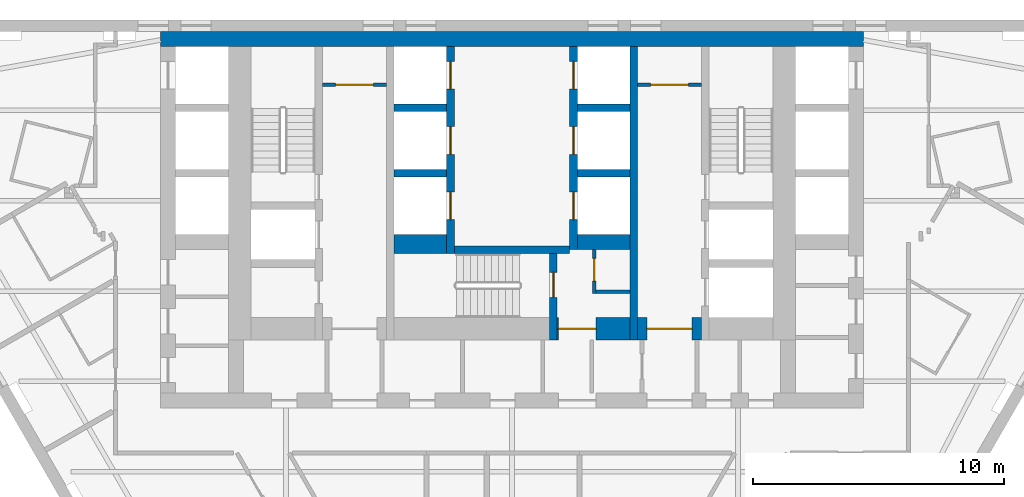
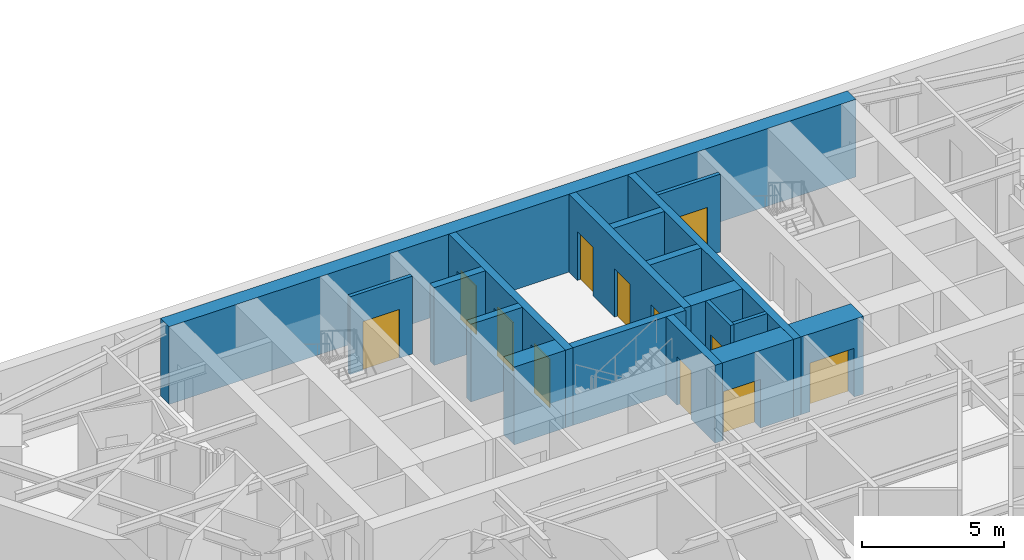
# One storey, part 7 of 11: 18 walls, 12 doors, 12 openings.
"""IFC4 building model written with IfcOpenShell, lengths in metres."""

from ifc_helpers import new_model, si_unit, direction, frame, frame_2d, origin, place, context, subcontext, project, spatial, rectangle, extrude, material, layer, layer_set, type_object, element, fill, save


model = new_model("IFC4")

# Units and contexts
model_context = context("Model", 3, precision=1e-05, world=origin(), true_north=direction((0.0, 1.0)))
body_context = subcontext(model_context, "Body", "Model", "MODEL_VIEW")
ifc_project = project(units=[si_unit("LENGTHUNIT", "METRE"), si_unit("AREAUNIT", "SQUARE_METRE"), si_unit("VOLUMEUNIT", "CUBIC_METRE"), si_unit("PLANEANGLEUNIT", "RADIAN"), si_unit("MASSUNIT", "GRAM", prefix="KILO")], contexts=[model_context])

# Site, building, storey
site_placement = place(None, origin())
site = spatial("IfcSite", under=ifc_project, at=site_placement, CompositionType="ELEMENT")
building_placement = place(site_placement, origin())
building = spatial("IfcBuilding", under=site, at=building_placement, Name="Aloe Facet Convention Tower", CompositionType="ELEMENT")
storey_placement = place(building_placement, frame((0.0, 0.0, 66.5)))
storey = spatial("IfcBuildingStorey", under=building, at=storey_placement, Name="L15", CompositionType="ELEMENT", Elevation=66.5)

# Wall, opening, door
ifc_material_1 = material(Name="Concrete blockwork partition", Category="masonry")
ifc_layer_1 = layer(ifc_material_1, 0.14990234375)
ifc_layer_set_1 = layer_set([ifc_layer_1], Name="CR-W-PART150")
wall_type_1 = type_object("IfcWallType", Name="CR-W-PART150", PredefinedType="PARTITIONING", material=ifc_layer_set_1)
wall_1_placement = place(storey_placement, frame((72.449951171875, 132.425048828125, 0.0), z_axis=(0.0, 0.0, 1.0), x_axis=(1.0, 0.0, 0.0)))
wall_1 = element("IfcWall", 1, at=wall_1_placement, inside=storey, type_object=wall_type_1, Name="Core partition L15-015", PredefinedType="PARTITIONING", context=body_context, shape_type="SweptSolid", body=[
    extrude(rectangle(XDim=2.550048828125, YDim=0.14990234375, at=frame_2d((1.27490234375, 0.0))), origin(), (0.0, 0.0, 1.0), 3.35009765625),
])
opening_1_placement = place(wall_1_placement, frame((0.52490234375, 0.0, 0.0)))
opening_1 = element("IfcOpeningElement", 2, at=opening_1_placement, cuts=wall_1, Name="Opening L15-CD22", PredefinedType="OPENING", context=body_context, shape_type="SweptSolid", body=[
    extrude(rectangle(XDim=1.5, YDim=2.10009765625, at=frame_2d((0.75, 1.050048828125))), frame((0.0, 0.0849609375, 0.0), z_axis=(0.0, -1.0, 0.0), x_axis=(1.0, 0.0, 0.0)), (0.0, 0.0, 1.0), 0.169921875),
])
ifc_material_2 = material(Name="Steel fire-resisting door set FD60", Category="steel")
door_type_1 = type_object("IfcDoorType", Name="CR-D-REFUGE-1500-FD60-DD", OperationType="DOUBLE_DOOR_DOUBLE_SWING", PredefinedType="DOOR", material=ifc_material_2)
door_1_placement = place(opening_1_placement, origin())
door_1 = element("IfcDoor", 3, at=door_1_placement, inside=storey, type_object=door_type_1, Name="Core door L15-CD22", OperationType="DOUBLE_DOOR_DOUBLE_SWING", OverallHeight=2.10009765625, OverallWidth=1.5, PredefinedType="DOOR", context=body_context, shape_type="SweptSolid", body=[
    extrude(rectangle(XDim=1.5, YDim=2.10009765625, at=frame_2d((0.75, 1.050048828125))), frame((0.0, 0.02490234375, 0.0), z_axis=(0.0, -1.0, 0.0), x_axis=(1.0, 0.0, 0.0)), (0.0, 0.0, 1.0), 0.050048828125),
])
fill(opening_1, door_1)

wall_2_placement = place(storey_placement, frame((83.27490234375, 125.85009765625, 0.0), z_axis=(0.0, 0.0, 1.0), x_axis=(0.0, -1.0, 0.0)))
wall_2 = element("IfcWall", 4, at=wall_2_placement, inside=storey, type_object=wall_type_1, Name="Core partition L15-035", PredefinedType="PARTITIONING", context=body_context, shape_type="SweptSolid", body=[
    extrude(rectangle(XDim=1.75, YDim=0.14990234375, at=frame_2d((0.875, 0.0))), origin(), (0.0, 0.0, 1.0), 3.35009765625),
])
opening_2_placement = place(wall_2_placement, frame((0.35009765625, 0.0, 0.0)))
opening_2 = element("IfcOpeningElement", 5, at=opening_2_placement, cuts=wall_2, Name="Opening L15-CD20", PredefinedType="OPENING", context=body_context, shape_type="SweptSolid", body=[
    extrude(rectangle(XDim=0.89990234375, YDim=2.10009765625, at=frame_2d((0.449951171875, 1.050048828125))), frame((0.0, 0.0849609375, 0.0), z_axis=(0.0, -1.0, 0.0), x_axis=(1.0, 0.0, 0.0)), (0.0, 0.0, 1.0), 0.169921875),
])
ifc_material_3 = material(Name="Steel fire-resisting door set FD60", Category="steel")
door_type_2 = type_object("IfcDoorType", Name="CR-D-REFUGE-900-FD60-SRIGHT", OperationType="SINGLE_SWING_RIGHT", PredefinedType="DOOR", material=ifc_material_3)
door_2_placement = place(opening_2_placement, origin())
door_2 = element("IfcDoor", 6, at=door_2_placement, inside=storey, type_object=door_type_2, Name="Core door L15-CD20", OperationType="SINGLE_SWING_RIGHT", OverallHeight=2.10009765625, OverallWidth=0.89990234375, PredefinedType="DOOR", context=body_context, shape_type="SweptSolid", body=[
    extrude(rectangle(XDim=0.89990234375, YDim=2.10009765625, at=frame_2d((0.449951171875, 1.050048828125))), frame((0.0, 0.02490234375, 0.0), z_axis=(0.0, -1.0, 0.0), x_axis=(1.0, 0.0, 0.0)), (0.0, 0.0, 1.0), 0.050048828125),
])
fill(opening_2, door_2)

# Wall
wall_3_placement = place(storey_placement, frame((83.35009765625, 124.175048828125, 0.0), z_axis=(0.0, 0.0, 1.0), x_axis=(1.0, 0.0, 0.0)))
element("IfcWall", 7, at=wall_3_placement, inside=storey, type_object=wall_type_1, Name="Core partition L15-036", PredefinedType="PARTITIONING", context=body_context, shape_type="SweptSolid", body=[
    extrude(rectangle(XDim=1.349853515625, YDim=0.14990234375, at=frame_2d((0.6748046875, 0.0))), origin(), (0.0, 0.0, 1.0), 3.35009765625),
])

# Wall, opening, door
wall_4_placement = place(storey_placement, frame((85.0, 132.425048828125, 0.0), z_axis=(0.0, 0.0, 1.0), x_axis=(1.0, 0.0, 0.0)))
wall_4 = element("IfcWall", 8, at=wall_4_placement, inside=storey, type_object=wall_type_1, Name="Core partition L15-038", PredefinedType="PARTITIONING", context=body_context, shape_type="SweptSolid", body=[
    extrude(rectangle(XDim=2.550048828125, YDim=0.14990234375, at=frame_2d((1.27490234375, 0.0))), origin(), (0.0, 0.0, 1.0), 3.35009765625),
])
opening_3_placement = place(wall_4_placement, frame((0.52490234375, 0.0, 0.0)))
opening_3 = element("IfcOpeningElement", 9, at=opening_3_placement, cuts=wall_4, Name="Opening L15-CD21", PredefinedType="OPENING", context=body_context, shape_type="SweptSolid", body=[
    extrude(rectangle(XDim=1.5, YDim=2.10009765625, at=frame_2d((0.75, 1.050048828125))), frame((0.0, 0.0849609375, 0.0), z_axis=(0.0, -1.0, 0.0), x_axis=(1.0, 0.0, 0.0)), (0.0, 0.0, 1.0), 0.169921875),
])
door_3_placement = place(opening_3_placement, origin())
door_3 = element("IfcDoor", 10, at=door_3_placement, inside=storey, type_object=door_type_1, Name="Core door L15-CD21", OperationType="DOUBLE_DOOR_DOUBLE_SWING", OverallHeight=2.10009765625, OverallWidth=1.5, PredefinedType="DOOR", context=body_context, shape_type="SweptSolid", body=[
    extrude(rectangle(XDim=1.5, YDim=2.10009765625, at=frame_2d((0.75, 1.050048828125))), frame((0.0, 0.02490234375, 0.0), z_axis=(0.0, -1.0, 0.0), x_axis=(1.0, 0.0, 0.0)), (0.0, 0.0, 1.0), 0.050048828125),
])
fill(opening_3, door_3)

# Walls
ifc_material_4 = material(Name="Concrete C80/95", Category="concrete")
ifc_layer_2 = layer(ifc_material_4, 0.300048828125)
ifc_layer_set_2 = layer_set([ifc_layer_2], Name="CR-W-RC300-C8095")
wall_type_2 = type_object("IfcWallType", Name="CR-W-RC300-C8095", PredefinedType="SOLIDWALL", material=ifc_layer_set_2)
for number, where, z_axis, x_axis, name in (
    (11, (75.300048828125, 131.5, 0.0), (0.0, 0.0, 1.0), (1.0, 0.0, 0.0), "Core wall L15-020"),
    (12, (75.300048828125, 128.89990234375, 0.0), (0.0, 0.0, 1.0), (1.0, 0.0, 0.0), "Core wall L15-021"),
):
    element("IfcWall", number, at=place(storey_placement, frame(where, z_axis=z_axis, x_axis=x_axis)), inside=storey, type_object=wall_type_2, Name=name, PredefinedType="SOLIDWALL", context=body_context, shape_type="SweptSolid", body=[
        extrude(rectangle(XDim=2.099853515625, YDim=0.300048828125, at=frame_2d((1.0498046875, 0.0))), origin(), (0.0, 0.0, 1.0), 3.35009765625),
    ])

# Wall, openings, doors
wall_5_placement = place(storey_placement, frame((77.550048828125, 133.949951171875, 0.0), z_axis=(0.0, 0.0, 1.0), x_axis=(0.0, -1.0, 0.0)))
wall_5 = element("IfcWall", 13, at=wall_5_placement, inside=storey, type_object=wall_type_2, Name="Core wall L15-024", PredefinedType="SOLIDWALL", context=body_context, shape_type="SweptSolid", body=[
    extrude(rectangle(XDim=8.25, YDim=0.300048828125, at=frame_2d((4.125, 0.0))), origin(), (0.0, 0.0, 1.0), 3.35009765625),
])
opening_4_placement = place(wall_5_placement, frame((0.60009765625, 0.0, 0.0)))
opening_4 = element("IfcOpeningElement", 14, at=opening_4_placement, cuts=wall_5, Name="Opening LD-A1-L15", PredefinedType="OPENING", context=body_context, shape_type="SweptSolid", body=[
    extrude(rectangle(XDim=1.10009765625, YDim=2.10009765625, at=frame_2d((0.550048828125, 1.050048828125))), frame((0.0, 0.16015625, 0.0), z_axis=(0.0, -1.0, 0.0), x_axis=(1.0, 0.0, 0.0)), (0.0, 0.0, 1.0), 0.320068359375),
])
opening_5_placement = place(wall_5_placement, frame((3.199951171875, 0.0, 0.0)))
opening_5 = element("IfcOpeningElement", 15, at=opening_5_placement, cuts=wall_5, Name="Opening LD-A2-L15", PredefinedType="OPENING", context=body_context, shape_type="SweptSolid", body=[
    extrude(rectangle(XDim=1.10009765625, YDim=2.10009765625, at=frame_2d((0.550048828125, 1.050048828125))), frame((0.0, 0.16015625, 0.0), z_axis=(0.0, -1.0, 0.0), x_axis=(1.0, 0.0, 0.0)), (0.0, 0.0, 1.0), 0.320068359375),
])
opening_6_placement = place(wall_5_placement, frame((5.800048828125, 0.0, 0.0)))
opening_6 = element("IfcOpeningElement", 16, at=opening_6_placement, cuts=wall_5, Name="Opening LD-A3-L15", PredefinedType="OPENING", context=body_context, shape_type="SweptSolid", body=[
    extrude(rectangle(XDim=1.10009765625, YDim=2.10009765625, at=frame_2d((0.550048828125, 1.050048828125))), frame((0.0, 0.16015625, 0.0), z_axis=(0.0, -1.0, 0.0), x_axis=(1.0, 0.0, 0.0)), (0.0, 0.0, 1.0), 0.320068359375),
])
ifc_material_5 = material(Name="Stainless steel sliding landing door", Category="steel")
door_type_3 = type_object("IfcDoorType", Name="CR-LD-1100-FD60-RIGHT", OperationType="SLIDING_TO_RIGHT", PredefinedType="DOOR", material=ifc_material_5)
door_4_placement = place(opening_4_placement, origin())
door_4 = element("IfcDoor", 17, at=door_4_placement, inside=storey, type_object=door_type_3, Name="Landing door A1 L15", OperationType="SLIDING_TO_RIGHT", OverallHeight=2.10009765625, OverallWidth=1.10009765625, PredefinedType="DOOR", context=body_context, shape_type="SweptSolid", body=[
    extrude(rectangle(XDim=1.10009765625, YDim=2.10009765625, at=frame_2d((0.550048828125, 1.050048828125))), frame((0.0, 0.02490234375, 0.0), z_axis=(0.0, -1.0, 0.0), x_axis=(1.0, 0.0, 0.0)), (0.0, 0.0, 1.0), 0.050048828125),
])
fill(opening_4, door_4)
door_5_placement = place(opening_5_placement, origin())
door_5 = element("IfcDoor", 18, at=door_5_placement, inside=storey, type_object=door_type_3, Name="Landing door A2 L15", OperationType="SLIDING_TO_RIGHT", OverallHeight=2.10009765625, OverallWidth=1.10009765625, PredefinedType="DOOR", context=body_context, shape_type="SweptSolid", body=[
    extrude(rectangle(XDim=1.10009765625, YDim=2.10009765625, at=frame_2d((0.550048828125, 1.050048828125))), frame((0.0, 0.02490234375, 0.0), z_axis=(0.0, -1.0, 0.0), x_axis=(1.0, 0.0, 0.0)), (0.0, 0.0, 1.0), 0.050048828125),
])
fill(opening_5, door_5)
door_6_placement = place(opening_6_placement, origin())
door_6 = element("IfcDoor", 19, at=door_6_placement, inside=storey, type_object=door_type_3, Name="Landing door A3 L15", OperationType="SLIDING_TO_RIGHT", OverallHeight=2.10009765625, OverallWidth=1.10009765625, PredefinedType="DOOR", context=body_context, shape_type="SweptSolid", body=[
    extrude(rectangle(XDim=1.10009765625, YDim=2.10009765625, at=frame_2d((0.550048828125, 1.050048828125))), frame((0.0, 0.02490234375, 0.0), z_axis=(0.0, -1.0, 0.0), x_axis=(1.0, 0.0, 0.0)), (0.0, 0.0, 1.0), 0.050048828125),
])
fill(opening_6, door_6)

# Wall
wall_6_placement = place(storey_placement, frame((77.699951171875, 125.85009765625, 0.0), z_axis=(0.0, 0.0, 1.0), x_axis=(1.0, 0.0, 0.0)))
element("IfcWall", 20, at=wall_6_placement, inside=storey, type_object=wall_type_2, Name="Core wall L15-025", PredefinedType="SOLIDWALL", context=body_context, shape_type="SweptSolid", body=[
    extrude(rectangle(XDim=4.60009765625, YDim=0.300048828125, at=frame_2d((2.300048828125, 0.0))), origin(), (0.0, 0.0, 1.0), 3.35009765625),
])

# Wall, opening, door
wall_7_placement = place(storey_placement, frame((81.64990234375, 125.699951171875, 0.0), z_axis=(0.0, 0.0, 1.0), x_axis=(0.0, -1.0, 0.0)))
wall_7 = element("IfcWall", 21, at=wall_7_placement, inside=storey, type_object=wall_type_2, Name="Core wall L15-028", PredefinedType="SOLIDWALL", context=body_context, shape_type="SweptSolid", body=[
    extrude(rectangle(XDim=3.449951171875, YDim=0.300048828125, at=frame_2d((1.72509765625, 0.0))), origin(), (0.0, 0.0, 1.0), 3.35009765625),
])
opening_7_placement = place(wall_7_placement, frame((0.75, 0.0, 0.0)))
opening_7 = element("IfcOpeningElement", 22, at=opening_7_placement, cuts=wall_7, Name="Opening L15-CD32", PredefinedType="OPENING", context=body_context, shape_type="SweptSolid", body=[
    extrude(rectangle(XDim=1.0, YDim=2.10009765625, at=frame_2d((0.5, 1.050048828125))), frame((0.0, 0.16015625, 0.0), z_axis=(0.0, -1.0, 0.0), x_axis=(1.0, 0.0, 0.0)), (0.0, 0.0, 1.0), 0.320068359375),
])
ifc_material_6 = material(Name="Steel fire-resisting door set FD120", Category="steel")
door_type_4 = type_object("IfcDoorType", Name="CR-D-STAIR-1000-FD120-SLEFT", OperationType="SINGLE_SWING_LEFT", PredefinedType="DOOR", material=ifc_material_6)
door_7_placement = place(opening_7_placement, origin())
door_7 = element("IfcDoor", 23, at=door_7_placement, inside=storey, type_object=door_type_4, Name="Core door L15-CD32", OperationType="SINGLE_SWING_LEFT", OverallHeight=2.10009765625, OverallWidth=1.0, PredefinedType="DOOR", context=body_context, shape_type="SweptSolid", body=[
    extrude(rectangle(XDim=1.0, YDim=2.10009765625, at=frame_2d((0.5, 1.050048828125))), frame((0.0, 0.02490234375, 0.0), z_axis=(0.0, -1.0, 0.0), x_axis=(1.0, 0.0, 0.0)), (0.0, 0.0, 1.0), 0.050048828125),
])
fill(opening_7, door_7)

# Wall, openings, doors
wall_8_placement = place(storey_placement, frame((82.449951171875, 133.949951171875, 0.0), z_axis=(0.0, 0.0, 1.0), x_axis=(0.0, -1.0, 0.0)))
wall_8 = element("IfcWall", 24, at=wall_8_placement, inside=storey, type_object=wall_type_2, Name="Core wall L15-030", PredefinedType="SOLIDWALL", context=body_context, shape_type="SweptSolid", body=[
    extrude(rectangle(XDim=8.099853515625, YDim=0.300048828125, at=frame_2d((4.0498046875, 0.0))), origin(), (0.0, 0.0, 1.0), 3.35009765625),
])
opening_8_placement = place(wall_8_placement, frame((0.60009765625, 0.0, 0.0)))
opening_8 = element("IfcOpeningElement", 25, at=opening_8_placement, cuts=wall_8, Name="Opening LD-A4-L15", PredefinedType="OPENING", context=body_context, shape_type="SweptSolid", body=[
    extrude(rectangle(XDim=1.10009765625, YDim=2.10009765625, at=frame_2d((0.550048828125, 1.050048828125))), frame((0.0, 0.16015625, 0.0), z_axis=(0.0, -1.0, 0.0), x_axis=(1.0, 0.0, 0.0)), (0.0, 0.0, 1.0), 0.320068359375),
])
opening_9_placement = place(wall_8_placement, frame((3.199951171875, 0.0, 0.0)))
opening_9 = element("IfcOpeningElement", 26, at=opening_9_placement, cuts=wall_8, Name="Opening LD-A5-L15", PredefinedType="OPENING", context=body_context, shape_type="SweptSolid", body=[
    extrude(rectangle(XDim=1.10009765625, YDim=2.10009765625, at=frame_2d((0.550048828125, 1.050048828125))), frame((0.0, 0.16015625, 0.0), z_axis=(0.0, -1.0, 0.0), x_axis=(1.0, 0.0, 0.0)), (0.0, 0.0, 1.0), 0.320068359375),
])
opening_10_placement = place(wall_8_placement, frame((5.800048828125, 0.0, 0.0)))
opening_10 = element("IfcOpeningElement", 27, at=opening_10_placement, cuts=wall_8, Name="Opening LD-A6-L15", PredefinedType="OPENING", context=body_context, shape_type="SweptSolid", body=[
    extrude(rectangle(XDim=1.10009765625, YDim=2.10009765625, at=frame_2d((0.550048828125, 1.050048828125))), frame((0.0, 0.16015625, 0.0), z_axis=(0.0, -1.0, 0.0), x_axis=(1.0, 0.0, 0.0)), (0.0, 0.0, 1.0), 0.320068359375),
])
ifc_material_7 = material(Name="Stainless steel sliding landing door", Category="steel")
door_type_5 = type_object("IfcDoorType", Name="CR-LD-1100-FD60-_LEFT", OperationType="SLIDING_TO_LEFT", PredefinedType="DOOR", material=ifc_material_7)
door_8_placement = place(opening_8_placement, origin())
door_8 = element("IfcDoor", 28, at=door_8_placement, inside=storey, type_object=door_type_5, Name="Landing door A4 L15", OperationType="SLIDING_TO_LEFT", OverallHeight=2.10009765625, OverallWidth=1.10009765625, PredefinedType="DOOR", context=body_context, shape_type="SweptSolid", body=[
    extrude(rectangle(XDim=1.10009765625, YDim=2.10009765625, at=frame_2d((0.550048828125, 1.050048828125))), frame((0.0, 0.02490234375, 0.0), z_axis=(0.0, -1.0, 0.0), x_axis=(1.0, 0.0, 0.0)), (0.0, 0.0, 1.0), 0.050048828125),
])
fill(opening_8, door_8)
door_9_placement = place(opening_9_placement, origin())
door_9 = element("IfcDoor", 29, at=door_9_placement, inside=storey, type_object=door_type_5, Name="Landing door A5 L15", OperationType="SLIDING_TO_LEFT", OverallHeight=2.10009765625, OverallWidth=1.10009765625, PredefinedType="DOOR", context=body_context, shape_type="SweptSolid", body=[
    extrude(rectangle(XDim=1.10009765625, YDim=2.10009765625, at=frame_2d((0.550048828125, 1.050048828125))), frame((0.0, 0.02490234375, 0.0), z_axis=(0.0, -1.0, 0.0), x_axis=(1.0, 0.0, 0.0)), (0.0, 0.0, 1.0), 0.050048828125),
])
fill(opening_9, door_9)
door_10_placement = place(opening_10_placement, origin())
door_10 = element("IfcDoor", 30, at=door_10_placement, inside=storey, type_object=door_type_5, Name="Landing door A6 L15", OperationType="SLIDING_TO_LEFT", OverallHeight=2.10009765625, OverallWidth=1.10009765625, PredefinedType="DOOR", context=body_context, shape_type="SweptSolid", body=[
    extrude(rectangle(XDim=1.10009765625, YDim=2.10009765625, at=frame_2d((0.550048828125, 1.050048828125))), frame((0.0, 0.02490234375, 0.0), z_axis=(0.0, -1.0, 0.0), x_axis=(1.0, 0.0, 0.0)), (0.0, 0.0, 1.0), 0.050048828125),
])
fill(opening_10, door_10)

# Walls
for number, where, z_axis, x_axis, name in (
    (31, (82.60009765625, 131.5, 0.0), (0.0, 0.0, 1.0), (1.0, 0.0, 0.0), "Core wall L15-031"),
    (32, (82.60009765625, 128.89990234375, 0.0), (0.0, 0.0, 1.0), (1.0, 0.0, 0.0), "Core wall L15-032"),
):
    element("IfcWall", number, at=place(storey_placement, frame(where, z_axis=z_axis, x_axis=x_axis)), inside=storey, type_object=wall_type_2, Name=name, PredefinedType="SOLIDWALL", context=body_context, shape_type="SweptSolid", body=[
        extrude(rectangle(XDim=2.099853515625, YDim=0.300048828125, at=frame_2d((1.0498046875, 0.0))), origin(), (0.0, 0.0, 1.0), 3.35009765625),
    ])
wall_9_placement = place(storey_placement, frame((84.85009765625, 133.949951171875, 0.0), z_axis=(0.0, 0.0, 1.0), x_axis=(0.0, -1.0, 0.0)))
element("IfcWall", 33, at=wall_9_placement, inside=storey, type_object=wall_type_2, Name="Core wall L15-037", PredefinedType="SOLIDWALL", context=body_context, shape_type="SweptSolid", body=[
    extrude(rectangle(XDim=11.699951171875, YDim=0.300048828125, at=frame_2d((5.85009765625, 0.0))), origin(), (0.0, 0.0, 1.0), 3.35009765625),
])
ifc_material_8 = material(Name="Concrete C80/95", Category="concrete")
ifc_layer_3 = layer(ifc_material_8, 0.60009765625)
ifc_layer_set_3 = layer_set([ifc_layer_3], Name="CR-W-RC600-C8095")
wall_type_3 = type_object("IfcWallType", Name="CR-W-RC600-C8095", PredefinedType="SOLIDWALL", material=ifc_layer_set_3)
wall_10_placement = place(storey_placement, frame((66.0, 134.25, 0.0), z_axis=(0.0, 0.0, 1.0), x_axis=(1.0, 0.0, 0.0)))
element("IfcWall", 34, at=wall_10_placement, inside=storey, type_object=wall_type_3, Name="Core wall L15-001", PredefinedType="SOLIDWALL", context=body_context, shape_type="SweptSolid", body=[
    extrude(rectangle(XDim=28.0, YDim=0.60009765625, at=frame_2d((14.0, 0.0))), origin(), (0.0, 0.0, 1.0), 3.35009765625),
])
wall_11_placement = place(storey_placement, frame((82.60009765625, 126.14990234375, 0.0), z_axis=(0.0, 0.0, 1.0), x_axis=(1.0, 0.0, 0.0)))
element("IfcWall", 35, at=wall_11_placement, inside=storey, type_object=wall_type_3, Name="Core wall L15-033", PredefinedType="SOLIDWALL", context=body_context, shape_type="SweptSolid", body=[
    extrude(rectangle(XDim=2.099853515625, YDim=0.60009765625, at=frame_2d((1.0498046875, 0.0))), origin(), (0.0, 0.0, 1.0), 3.35009765625),
])
ifc_material_9 = material(Name="Concrete C80/95", Category="concrete")
ifc_layer_4 = layer(ifc_material_9, 0.75)
ifc_layer_set_4 = layer_set([ifc_layer_4], Name="CR-W-RC750-C8095")
wall_type_4 = type_object("IfcWallType", Name="CR-W-RC750-C8095", PredefinedType="SOLIDWALL", material=ifc_layer_set_4)
wall_12_placement = place(storey_placement, frame((75.300048828125, 126.074951171875, 0.0), z_axis=(0.0, 0.0, 1.0), x_axis=(1.0, 0.0, 0.0)))
element("IfcWall", 36, at=wall_12_placement, inside=storey, type_object=wall_type_4, Name="Core wall L15-022", PredefinedType="SOLIDWALL", context=body_context, shape_type="SweptSolid", body=[
    extrude(rectangle(XDim=2.099853515625, YDim=0.75, at=frame_2d((1.0498046875, 0.0))), origin(), (0.0, 0.0, 1.0), 3.35009765625),
])

# Wall, opening, door
ifc_material_10 = material(Name="Concrete C80/95", Category="concrete")
ifc_layer_5 = layer(ifc_material_10, 0.89990234375)
ifc_layer_set_5 = layer_set([ifc_layer_5], Name="CR-W-RC900-C8095")
wall_type_5 = type_object("IfcWallType", Name="CR-W-RC900-C8095", PredefinedType="SOLIDWALL", material=ifc_layer_set_5)
wall_13_placement = place(storey_placement, frame((81.800048828125, 122.699951171875, 0.0), z_axis=(0.0, 0.0, 1.0), x_axis=(1.0, 0.0, 0.0)))
wall_13 = element("IfcWall", 37, at=wall_13_placement, inside=storey, type_object=wall_type_5, Name="Core wall L15-029", PredefinedType="SOLIDWALL", context=body_context, shape_type="SweptSolid", body=[
    extrude(rectangle(XDim=2.89990234375, YDim=0.89990234375, at=frame_2d((1.449951171875, 0.0))), origin(), (0.0, 0.0, 1.0), 3.35009765625),
])
opening_11_placement = place(wall_13_placement, frame((0.050048828125, 0.0, 0.0)))
opening_11 = element("IfcOpeningElement", 38, at=opening_11_placement, cuts=wall_13, Name="Opening L15-CD16", PredefinedType="OPENING", context=body_context, shape_type="SweptSolid", body=[
    extrude(rectangle(XDim=1.5, YDim=2.10009765625, at=frame_2d((0.75, 1.050048828125))), frame((0.0, 0.4599609375, 0.0), z_axis=(0.0, -1.0, 0.0), x_axis=(1.0, 0.0, 0.0)), (0.0, 0.0, 1.0), 0.919921875),
])
ifc_material_11 = material(Name="Steel fire-resisting door set FD60", Category="steel")
door_type_6 = type_object("IfcDoorType", Name="CR-D-EXIT-1500-FD60-DD", OperationType="DOUBLE_DOOR_DOUBLE_SWING", PredefinedType="DOOR", material=ifc_material_11)
door_11_placement = place(opening_11_placement, origin())
door_11 = element("IfcDoor", 39, at=door_11_placement, inside=storey, type_object=door_type_6, Name="Core door L15-CD16", OperationType="DOUBLE_DOOR_DOUBLE_SWING", OverallHeight=2.10009765625, OverallWidth=1.5, PredefinedType="DOOR", context=body_context, shape_type="SweptSolid", body=[
    extrude(rectangle(XDim=1.5, YDim=2.10009765625, at=frame_2d((0.75, 1.050048828125))), frame((0.0, 0.02490234375, 0.0), z_axis=(0.0, -1.0, 0.0), x_axis=(1.0, 0.0, 0.0)), (0.0, 0.0, 1.0), 0.050048828125),
])
fill(opening_11, door_11)

wall_14_placement = place(storey_placement, frame((85.0, 122.699951171875, 0.0), z_axis=(0.0, 0.0, 1.0), x_axis=(1.0, 0.0, 0.0)))
wall_14 = element("IfcWall", 40, at=wall_14_placement, inside=storey, type_object=wall_type_5, Name="Core wall L15-039", PredefinedType="SOLIDWALL", context=body_context, shape_type="SweptSolid", body=[
    extrude(rectangle(XDim=2.550048828125, YDim=0.89990234375, at=frame_2d((1.27490234375, 0.0))), origin(), (0.0, 0.0, 1.0), 3.35009765625),
])
opening_12_placement = place(wall_14_placement, frame((0.375, 0.0, 0.0)))
opening_12 = element("IfcOpeningElement", 41, at=opening_12_placement, cuts=wall_14, Name="Opening L15-CD14", PredefinedType="OPENING", context=body_context, shape_type="SweptSolid", body=[
    extrude(rectangle(XDim=1.800048828125, YDim=2.10009765625, at=frame_2d((0.89990234375, 1.050048828125))), frame((0.0, 0.4599609375, 0.0), z_axis=(0.0, -1.0, 0.0), x_axis=(1.0, 0.0, 0.0)), (0.0, 0.0, 1.0), 0.919921875),
])
ifc_material_12 = material(Name="Steel fire-resisting door set FD120", Category="steel")
door_type_7 = type_object("IfcDoorType", Name="CR-D-EXIT-1800-FD120-DD", OperationType="DOUBLE_DOOR_DOUBLE_SWING", PredefinedType="DOOR", material=ifc_material_12)
door_12_placement = place(opening_12_placement, origin())
door_12 = element("IfcDoor", 42, at=door_12_placement, inside=storey, type_object=door_type_7, Name="Core door L15-CD14", OperationType="DOUBLE_DOOR_DOUBLE_SWING", OverallHeight=2.10009765625, OverallWidth=1.800048828125, PredefinedType="DOOR", context=body_context, shape_type="SweptSolid", body=[
    extrude(rectangle(XDim=1.800048828125, YDim=2.10009765625, at=frame_2d((0.89990234375, 1.050048828125))), frame((0.0, 0.02490234375, 0.0), z_axis=(0.0, -1.0, 0.0), x_axis=(1.0, 0.0, 0.0)), (0.0, 0.0, 1.0), 0.050048828125),
])
fill(opening_12, door_12)

save(model, "model.ifc")
